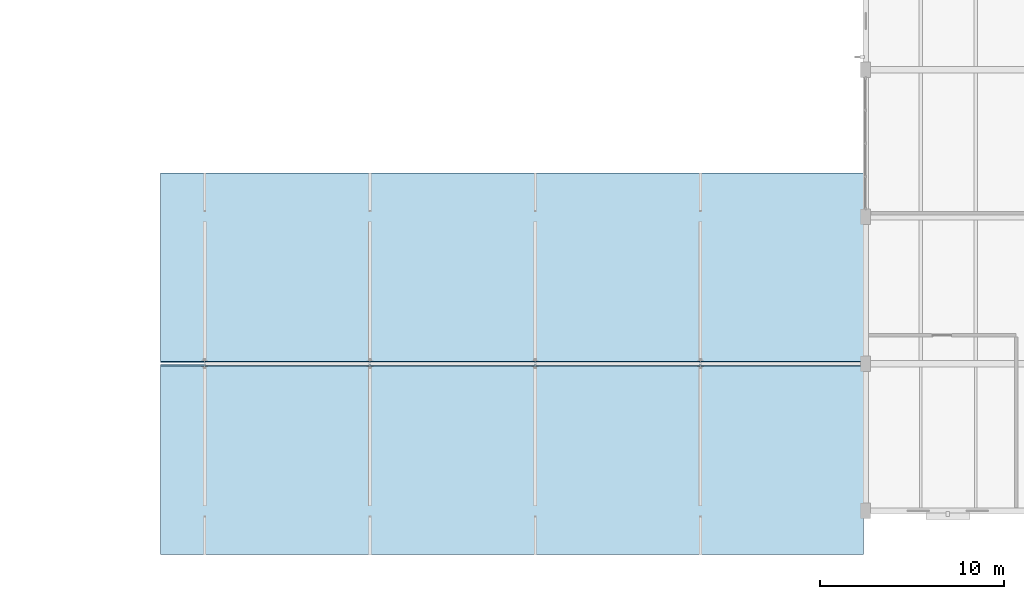
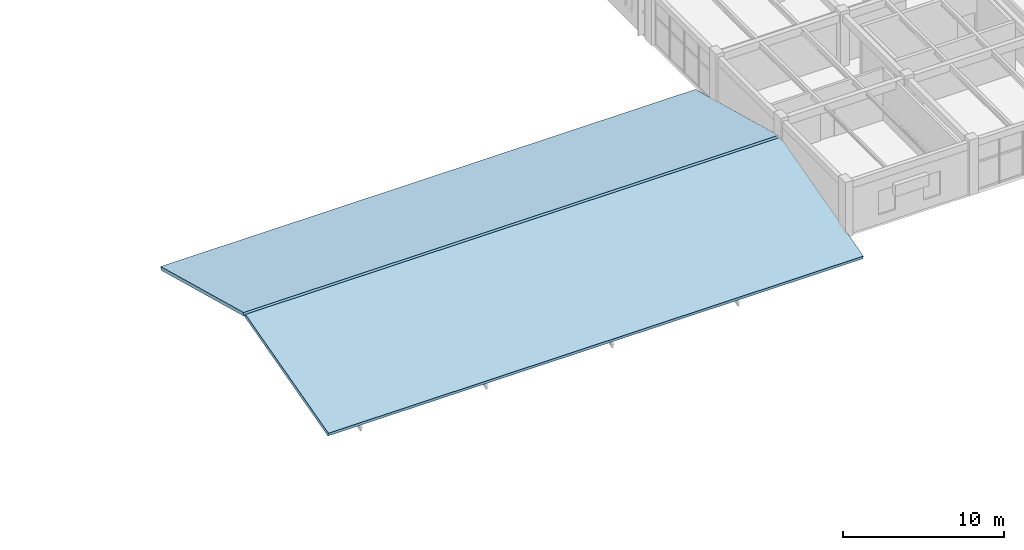
# One storey, part 54 of 71: 2 slabs, 1 element without a shape of its own.
"""IFC4 building model written with IfcOpenShell, lengths in metres."""

from ifc_helpers import new_model, si_unit, derived_unit, direction, frame, origin, place, context, subcontext, project, spatial, polyline, outline, extrude, material, layer, layer_set, type_object, element, aggregate, save


model = new_model("IFC4")

# Units and contexts
model_context = context("Model", 3, precision=1e-05, world=origin(), true_north=direction((0.0, 1.0)))
body_context = subcontext(model_context, "Body", "Model", "MODEL_VIEW")
ifc_project = project(units=[si_unit("LENGTHUNIT", "METRE"), si_unit("AREAUNIT", "SQUARE_METRE"), si_unit("VOLUMEUNIT", "CUBIC_METRE"), si_unit("PLANEANGLEUNIT", "RADIAN"), si_unit("MASSUNIT", "GRAM", prefix="KILO"), derived_unit("THERMALTRANSMITTANCEUNIT", [(si_unit("MASSUNIT", "GRAM", prefix="KILO"), 1), (si_unit("TIMEUNIT", "SECOND"), -3), (si_unit("THERMODYNAMICTEMPERATUREUNIT", "KELVIN"), -1)])], contexts=[model_context])

# Site, building, storey
site_placement = place(None, origin())
site = spatial("IfcSite", under=ifc_project, at=site_placement, CompositionType="ELEMENT")
building_placement = place(site_placement, origin())
building = spatial("IfcBuilding", under=site, at=building_placement, Name="Zhenchuan Archway Interchange", CompositionType="ELEMENT")
storey_placement = place(building_placement, frame((0.0, 0.0, 18.60009765625)))
storey = spatial("IfcBuildingStorey", under=building, at=storey_placement, Name="L04", CompositionType="ELEMENT", Elevation=18.60009765625)

# Roof, slabs
ifc_material = material(Name="Concrete C35", Category="concrete")
roof_type = type_object("IfcRoofType", Name="ROOF_LINGNAN_STORM", PredefinedType="GABLE_ROOF", material=ifc_material)
roof_placement = place(storey_placement, origin())
roof = element("IfcRoof", 1, at=roof_placement, inside=storey, type_object=roof_type, Name="Transit Operations 4-storey courtyard arm storm roofs", PredefinedType="GABLE_ROOF")
ifc_layer = layer(ifc_material, 0.260009765625)
ifc_layer_set = layer_set([ifc_layer], Name="Concrete C35")
slab_type = type_object("IfcSlabType", Name="SLB_ROOF_260", PredefinedType="ROOF", material=ifc_layer_set)
slab_1_placement = place(storey_placement, frame((105.60009765625, 5.60009765625, -0.203125), z_axis=(0.0, -0.258877503478, 0.965910160519), x_axis=(1.0, 0.0, 0.0)))
slab_1 = element("IfcSlab", 2, at=slab_1_placement, type_object=slab_type, Name="South courtyard arm south storm roof slope", PredefinedType="ROOF", context=body_context, shape_type="SweptSolid", body=[
    extrude(outline(polyline([(0.0, 0.0), (38.27978515625, 0.0), (38.27978515625, 10.642589317759738), (0.0, 10.642589317759738), (0.0, 0.0)])), origin(), (0.0, 0.0, -1.0), 0.260009765625),
])
slab_2_placement = place(storey_placement, frame((105.60009765625, 16.1201171875, 2.552001953125), z_axis=(0.0, 0.258877503478, 0.965910160519), x_axis=(1.0, 0.0, 0.0)))
slab_2 = element("IfcSlab", 3, at=slab_2_placement, type_object=slab_type, Name="South courtyard arm north storm roof slope", PredefinedType="ROOF", context=body_context, shape_type="SweptSolid", body=[
    extrude(outline(polyline([(0.0, 0.0), (38.27978515625, 0.0), (38.27978515625, 10.642589317759738), (0.0, 10.642589317759738), (0.0, 0.0)])), origin(), (0.0, 0.0, -1.0), 0.260009765625),
])
aggregate(roof, [slab_1, slab_2])

save(model, "model.ifc")
